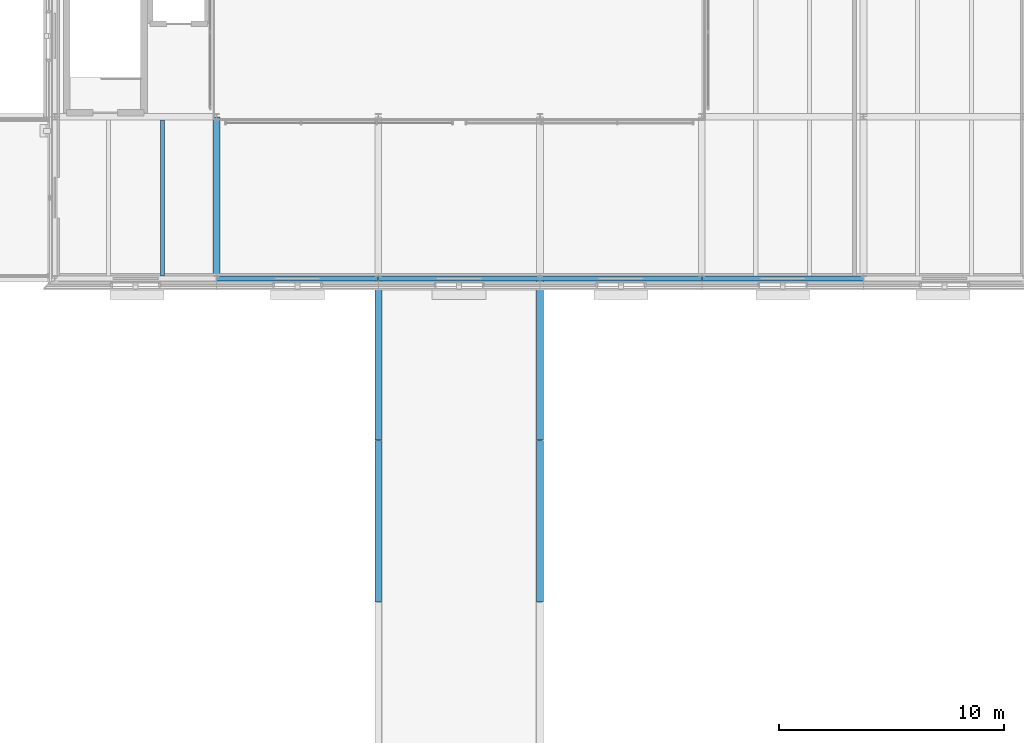
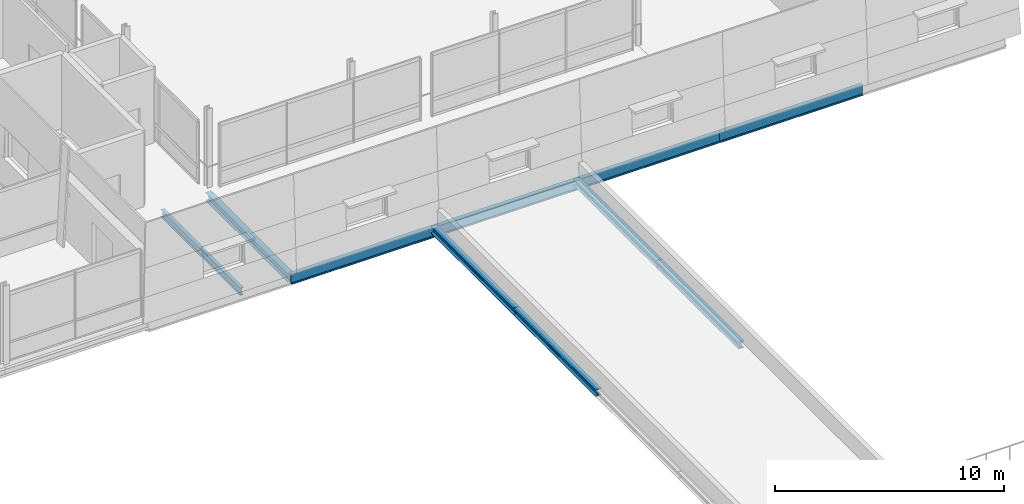
# One storey, part 37 of 115: 10 beams.
"""IFC4 building model written with IfcOpenShell, lengths in metres."""

from ifc_helpers import new_model, si_unit, direction, frame, origin, origin_2d, place, context, subcontext, project, spatial, i_section, extrude, material, material_profile, profile_set, type_object, element, save


model = new_model("IFC4")

# Units and contexts
model_context = context("Model", 3, precision=1e-05, world=origin(), true_north=direction((0.0, 1.0)))
body_context = subcontext(model_context, "Body", "Model", "MODEL_VIEW")
ifc_project = project(units=[si_unit("LENGTHUNIT", "METRE"), si_unit("AREAUNIT", "SQUARE_METRE"), si_unit("VOLUMEUNIT", "CUBIC_METRE"), si_unit("PLANEANGLEUNIT", "RADIAN"), si_unit("MASSUNIT", "GRAM", prefix="KILO")], contexts=[model_context])

# Site, building, storey
site_placement = place(None, origin())
site = spatial("IfcSite", under=ifc_project, at=site_placement, CompositionType="ELEMENT")
building_placement = place(site_placement, origin())
building = spatial("IfcBuilding", under=site, at=building_placement, Name="Narikvali Park Central Library", CompositionType="ELEMENT")
storey_placement = place(building_placement, frame((0.0, 0.0, 10.199951171875)))
storey = spatial("IfcBuildingStorey", under=building, at=storey_placement, Name="L02", CompositionType="ELEMENT", Elevation=10.199951171875)

# Beams
ifc_material = material(Name="Steel S355", Category="steel")
ifc_material_profile_1 = material_profile(ifc_material, i_section(OverallWidth=0.300048828125, OverallDepth=0.360107421875, WebThickness=0.012451171875, FlangeThickness=0.0224609375, FilletRadius=0.027099609375, at=origin_2d()), Name="HEB 360")
ifc_profile_set_1 = profile_set([ifc_material_profile_1], Name="Steel S355")
beam_type_1 = type_object("IfcBeamType", Name="Cloister Bridge Girder HEB360", PredefinedType="BEAM", material=ifc_profile_set_1)
for number, where, z_axis, x_axis, name in (
    (1, (136.800048828125, 64.81005859375, -0.419921875), (0.0, 1.0, 0.0), (-1.0, 0.0, 0.0), "BRG-4 L02 Sliding Bridge Girder 1-3"),
    (2, (136.800048828125, 72.010009765625, -0.419921875), (0.0, 1.0, 0.0), (-1.0, 0.0, 0.0), "BRG-4 L02 Sliding Bridge Girder 1-4"),
    (3, (144.0, 64.81005859375, -0.419921875), (0.0, 1.0, 0.0), (-1.0, 0.0, 0.0), "BRG-4 L02 Sliding Bridge Girder 2-3"),
    (4, (144.0, 72.010009765625, -0.419921875), (0.0, 1.0, 0.0), (-1.0, 0.0, 0.0), "BRG-4 L02 Sliding Bridge Girder 2-4"),
):
    element("IfcBeam", number, at=place(storey_placement, frame(where, z_axis=z_axis, x_axis=x_axis)), inside=storey, type_object=beam_type_1, Name=name, PredefinedType="BEAM", context=body_context, shape_type="SweptSolid", body=[
        extrude(i_section(OverallWidth=0.300048828125, OverallDepth=0.360107421875, WebThickness=0.012451171875, FlangeThickness=0.0224609375, FilletRadius=0.027099609375, at=origin_2d()), origin(), (0.0, 0.0, 1.0), 7.179931640625),
    ])
ifc_material_profile_2 = material_profile(ifc_material, i_section(OverallWidth=0.179931640625, OverallDepth=0.39990234375, WebThickness=0.008544921875, FlangeThickness=0.013427734375, FilletRadius=0.02099609375, at=origin_2d()), Name="IPE 400")
ifc_profile_set_2 = profile_set([ifc_material_profile_2], Name="Steel S355")
beam_type_2 = type_object("IfcBeamType", Name="Composite Floor Joist IPE400", PredefinedType="JOIST", material=ifc_profile_set_2)
beam_1_placement = place(storey_placement, frame((127.199951171875, 79.304931640625, -0.47998046875), z_axis=(0.0, 1.0, 0.0), x_axis=(-1.0, 0.0, 0.0)))
element("IfcBeam", 5, at=beam_1_placement, inside=storey, type_object=beam_type_2, Name="V3 L02 Composite Joist 2", PredefinedType="JOIST", context=body_context, shape_type="SweptSolid", body=[
    extrude(i_section(OverallWidth=0.179931640625, OverallDepth=0.39990234375, WebThickness=0.008544921875, FlangeThickness=0.013427734375, FilletRadius=0.02099609375, at=origin_2d()), origin(), (0.0, 0.0, 1.0), 6.945068359375),
])
ifc_material_profile_3 = material_profile(ifc_material, i_section(OverallWidth=0.2099609375, OverallDepth=0.550048828125, WebThickness=0.010986328125, FlangeThickness=0.01708984375, FilletRadius=0.02392578125, at=origin_2d()), Name="IPE 550")
ifc_profile_set_3 = profile_set([ifc_material_profile_3], Name="Steel S355")
beam_type_3 = type_object("IfcBeamType", Name="Perimeter Spandrel IPE550", PredefinedType="SPANDREL", material=ifc_profile_set_3)
beam_2_placement = place(storey_placement, frame((129.60791015625, 79.199951171875, -0.554931640625), z_axis=(1.0, 0.0, 0.0), x_axis=(0.0, 1.0, 0.0)))
element("IfcBeam", 6, at=beam_2_placement, inside=storey, type_object=beam_type_3, Name="V3 L02 Girder X", PredefinedType="SPANDREL", context=body_context, shape_type="SweptSolid", body=[
    extrude(i_section(OverallWidth=0.2099609375, OverallDepth=0.550048828125, WebThickness=0.010986328125, FlangeThickness=0.01708984375, FilletRadius=0.02392578125, at=origin_2d()), origin(), (0.0, 0.0, 1.0), 7.18408203125),
])
for number, where, z_axis, x_axis, name in (
    (7, (136.80810546875, 79.199951171875, -0.554931640625), (1.0, 0.0, 0.0), (0.0, 1.0, 0.0), "V3 L02 Girder X"),
    (8, (144.008056640625, 79.199951171875, -0.554931640625), (1.0, 0.0, 0.0), (0.0, 1.0, 0.0), "V3 L02 Girder X"),
):
    element("IfcBeam", number, at=place(storey_placement, frame(where, z_axis=z_axis, x_axis=x_axis)), inside=storey, type_object=beam_type_3, Name=name, PredefinedType="SPANDREL", context=body_context, shape_type="SweptSolid", body=[
        extrude(i_section(OverallWidth=0.2099609375, OverallDepth=0.550048828125, WebThickness=0.010986328125, FlangeThickness=0.01708984375, FilletRadius=0.02392578125, at=origin_2d()), origin(), (0.0, 0.0, 1.0), 7.183837890625),
    ])
beam_3_placement = place(storey_placement, frame((151.2080078125, 79.199951171875, -0.554931640625), z_axis=(1.0, 0.0, 0.0), x_axis=(0.0, 1.0, 0.0)))
element("IfcBeam", 9, at=beam_3_placement, inside=storey, type_object=beam_type_3, Name="V3 L02 Girder X", PredefinedType="SPANDREL", context=body_context, shape_type="SweptSolid", body=[
    extrude(i_section(OverallWidth=0.2099609375, OverallDepth=0.550048828125, WebThickness=0.010986328125, FlangeThickness=0.01708984375, FilletRadius=0.02392578125, at=origin_2d()), origin(), (0.0, 0.0, 1.0), 7.18408203125),
])
ifc_material_profile_4 = material_profile(ifc_material, i_section(OverallWidth=0.300048828125, OverallDepth=0.43994140625, WebThickness=0.011474609375, FlangeThickness=0.02099609375, FilletRadius=0.027099609375, at=origin_2d()), Name="HEA 450")
ifc_profile_set_4 = profile_set([ifc_material_profile_4], Name="Steel S355")
beam_type_4 = type_object("IfcBeamType", Name="Primary Girder HEA450", PredefinedType="BEAM", material=ifc_profile_set_4)
beam_4_placement = place(storey_placement, frame((129.60009765625, 79.2080078125, -0.5), z_axis=(0.0, 1.0, 0.0), x_axis=(-1.0, 0.0, 0.0)))
element("IfcBeam", 10, at=beam_4_placement, inside=storey, type_object=beam_type_4, Name="V3 L02 Girder Y", PredefinedType="BEAM", context=body_context, shape_type="SweptSolid", body=[
    extrude(i_section(OverallWidth=0.300048828125, OverallDepth=0.43994140625, WebThickness=0.011474609375, FlangeThickness=0.02099609375, FilletRadius=0.027099609375, at=origin_2d()), origin(), (0.0, 0.0, 1.0), 7.18408203125),
])

save(model, "model.ifc")
